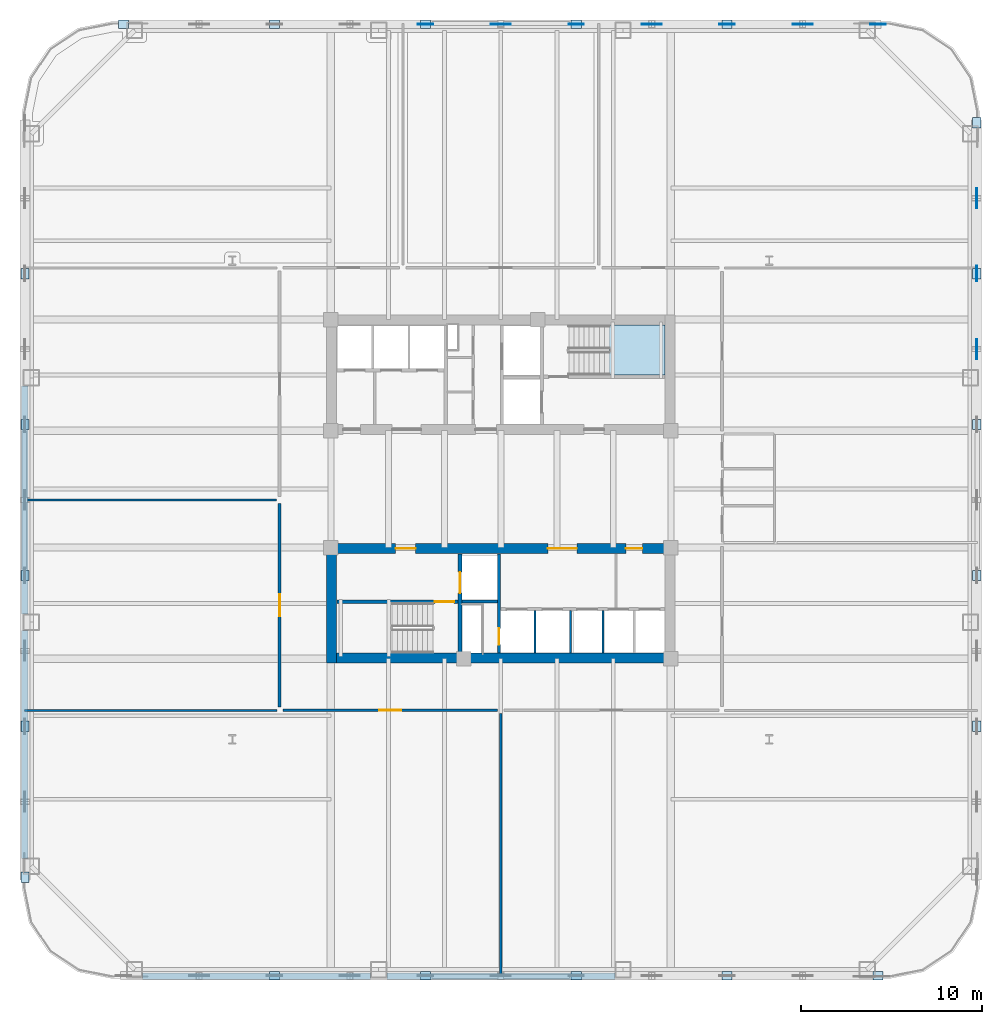
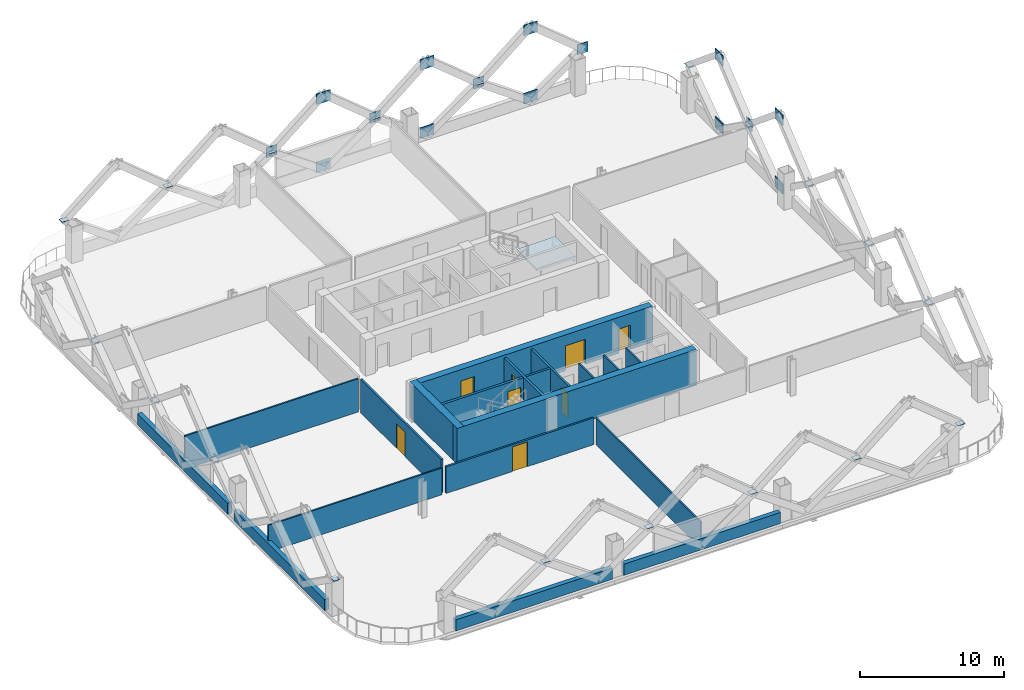
# One storey, part 4 of 12: 35 plates, 19 walls, 8 doors, 1 slab, 8 openings, 1 element without a shape of its own.
"""IFC4 building model written with IfcOpenShell, lengths in metres."""

import ifcopenshell
import ifcopenshell.guid

model = None  # the IFC model being written
_history = None  # IfcOwnerHistory: only IFC2X3 demands one
_inside = {}  # id of a spatial element -> (the spatial element, [elements in it])
_under = {}  # id of a project, library or spatial element -> (it, [spatial elements below it])
_declared = {}  # id of a project -> (the project, [libraries it declares])
_typed = {}  # id of a type object -> (the type object, [elements of that type])
_made_of = {}  # id of a material, layer set ... -> (it, [elements and type objects made of it])


def new_model(schema):
    """Start an empty IFC model of exactly this schema.

    Asked for "IFC4X3", IfcOpenShell would pick the latest addendum, in which some entities
    have other attributes; the version numbers below select the first issue.
    IFC2X3 requires an IfcOwnerHistory on every rooted entity: one is made here for all.
    """
    global model, _history
    if schema == "IFC4X3":
        model = ifcopenshell.file(schema_version=(4, 3, 0, 0))
    else:
        model = ifcopenshell.file(schema=schema)
    _inside.clear()
    _under.clear()
    _declared.clear()
    _typed.clear()
    _made_of.clear()
    _history = None
    if model.schema == "IFC2X3":
        org = make("IfcOrganization", Name="unknown")
        user = make(
            "IfcPersonAndOrganization",
            ThePerson=make("IfcPerson", FamilyName="unknown"),
            TheOrganization=org,
        )
        app = make(
            "IfcApplication",
            ApplicationDeveloper=org,
            Version="unknown",
            ApplicationFullName="unknown",
            ApplicationIdentifier="unknown",
        )
        _history = make(
            "IfcOwnerHistory",
            OwningUser=user,
            OwningApplication=app,
            ChangeAction="ADDED",
            CreationDate=0,
        )
    return model


def make(cls, **values):
    """One entity of the class cls with the attributes given. An attribute that is None is left unset."""
    return model.create_entity(
        cls, **{name: value for name, value in values.items() if value is not None}
    )


def rooted(cls, **values):
    """An entity with a GlobalId (a new one), such as an element, a storey or a relation."""
    return make(cls, GlobalId=ifcopenshell.guid.new(), OwnerHistory=_history, **values)


def si_unit(unit_type, name, prefix=None):
    """IfcSIUnit, for example si_unit("LENGTHUNIT", "METRE", prefix="MILLI")."""
    return make("IfcSIUnit", UnitType=unit_type, Prefix=prefix, Name=name)


def assignment(units):
    """IfcUnitAssignment: the units of a project."""
    return None if units is None else make("IfcUnitAssignment", Units=units)


def point(xyz):
    """IfcCartesianPoint."""
    return None if xyz is None else make("IfcCartesianPoint", Coordinates=xyz)


def direction(xyz):
    """IfcDirection."""
    return None if xyz is None else make("IfcDirection", DirectionRatios=xyz)


def frame(location, z_axis=None, x_axis=None):
    """IfcAxis2Placement3D, a coordinate frame: its origin and axes. An axis left out is left unset."""
    return make(
        "IfcAxis2Placement3D",
        Location=point(location),
        Axis=direction(z_axis),
        RefDirection=direction(x_axis),
    )


def frame_2d(location, x_axis=None):
    """IfcAxis2Placement2D, a coordinate frame in the plane: its origin and x axis."""
    return make(
        "IfcAxis2Placement2D", Location=point(location), RefDirection=direction(x_axis)
    )


def origin():
    """The frame at (0, 0, 0) with its axes left unset."""
    return frame((0.0, 0.0, 0.0))


def origin_2d():
    """The frame at (0, 0) in the plane with its x axis left unset."""
    return frame_2d((0.0, 0.0))


def place(relative_to, where):
    """IfcLocalPlacement: puts the frame where relative to a parent placement (None: the world)."""
    return make(
        "IfcLocalPlacement", PlacementRelTo=relative_to, RelativePlacement=where
    )


def context(
    kind, dimensions, precision=None, world=None, true_north=None, identifier=None
):
    """IfcGeometricRepresentationContext, for example the 3D "Model" context."""
    return make(
        "IfcGeometricRepresentationContext",
        ContextIdentifier=identifier,
        ContextType=kind,
        CoordinateSpaceDimension=dimensions,
        Precision=precision,
        WorldCoordinateSystem=world,
        TrueNorth=true_north,
    )


def subcontext(parent, identifier, kind, view, scale=None):
    """IfcGeometricRepresentationSubContext, for example "Body" below "Model"."""
    return make(
        "IfcGeometricRepresentationSubContext",
        ContextIdentifier=identifier,
        ContextType=kind,
        ParentContext=parent,
        TargetScale=scale,
        TargetView=view,
    )


def project(units=None, contexts=None):
    """IfcProject with its units and contexts."""
    return rooted(
        "IfcProject",
        Name="project",
        RepresentationContexts=contexts,
        UnitsInContext=assignment(units),
    )


def spatial(cls, under=None, at=None, **own):
    """A site, building, storey or space (cls), placed at a placement, below another one or the project."""
    s = rooted(cls, ObjectPlacement=at, **own)
    if under is not None:
        _under.setdefault(under.id(), (under, []))[1].append(s)
    return s


def polyline(points):
    """IfcPolyline through the points."""
    return make("IfcPolyline", Points=[point(p) for p in points])


def profile(cls, at=None, kind="AREA", **sizes):
    """A parametric profile (cls). Its sizes go by their IFC names, for example OverallWidth=200.0."""
    return make(cls, ProfileType=kind, Position=at, **sizes)


def rectangle(**sizes):
    """IfcRectangleProfileDef."""
    return profile("IfcRectangleProfileDef", **sizes)


def outline(outer, holes=None, kind="AREA"):
    """IfcArbitraryClosedProfileDef: a profile drawn as a closed curve; with holes, ...WithVoids."""
    if holes is None:
        return make("IfcArbitraryClosedProfileDef", ProfileType=kind, OuterCurve=outer)
    return make(
        "IfcArbitraryProfileDefWithVoids",
        ProfileType=kind,
        OuterCurve=outer,
        InnerCurves=holes,
    )


def extrude(swept, where, along, depth):
    """IfcExtrudedAreaSolid: the profile swept, set in the frame where, extruded along a direction by depth."""
    return make(
        "IfcExtrudedAreaSolid",
        SweptArea=swept,
        Position=where,
        ExtrudedDirection=direction(along),
        Depth=depth,
    )


def shape(context_of_items, identifier, shape_type, items):
    """IfcShapeRepresentation: the items that make up one representation, for example the "Body"."""
    return make(
        "IfcShapeRepresentation",
        ContextOfItems=context_of_items,
        RepresentationIdentifier=identifier,
        RepresentationType=shape_type,
        Items=items,
    )


def material(Name=None, Category=None):
    """IfcMaterial."""
    return make("IfcMaterial", Name=Name, Category=Category)


def layer(
    of_material, thickness, ventilated=None, Name=None, Category=None, Priority=None
):
    """IfcMaterialLayer: one layer of a wall or slab, of a material (None: an air gap)."""
    return make(
        "IfcMaterialLayer",
        Material=of_material,
        LayerThickness=thickness,
        IsVentilated=ventilated,
        Name=Name,
        Category=Category,
        Priority=Priority,
    )


def layer_set(layers, Name=None):
    """IfcMaterialLayerSet."""
    return make("IfcMaterialLayerSet", MaterialLayers=layers, LayerSetName=Name)


def made_of(thing, what):
    """Note that an element or type object is made of a material, layer set ...; save() writes the relation."""
    if what is not None:
        _made_of.setdefault(what.id(), (what, []))[1].append(thing)
    return thing


def type_object(cls, material=None, **own):
    """A type object (cls), such as IfcWallType, which elements share."""
    return made_of(rooted(cls, **own), material)


def element(
    cls,
    number,
    at=None,
    inside=None,
    cuts=None,
    type_object=None,
    material=None,
    context=None,
    identifier="Body",
    shape_type=None,
    held_by="IfcProductDefinitionShape",
    body=None,
    shapes=None,
    **own,
):
    """One element of the class cls, such as IfcWall. Its Tag is "e" and its number.

    at: its placement. inside: the storey or other place that contains it. cuts: it is an
    opening in that element (IfcRelVoidsElement). A single representation is given by context,
    identifier, shape_type and body (its items); several are given by shapes. held_by: the class
    of the entity that holds the representations. save() writes the other relations.
    """
    e = rooted(cls, Tag="e%d" % number, ObjectPlacement=at, **own)
    if body is not None:
        shapes = [shape(context, identifier, shape_type, body)]
    if shapes is not None:
        e.Representation = make(held_by, Representations=shapes)
    if inside is not None:
        _inside.setdefault(inside.id(), (inside, []))[1].append(e)
    if cuts is not None:
        rooted(
            "IfcRelVoidsElement", RelatingBuildingElement=cuts, RelatedOpeningElement=e
        )
    if type_object is not None:
        _typed.setdefault(type_object.id(), (type_object, []))[1].append(e)
    return made_of(e, material)


def fill(opening, filler):
    """IfcRelFillsElement: the door or window that sits in an opening."""
    return rooted(
        "IfcRelFillsElement",
        RelatingOpeningElement=opening,
        RelatedBuildingElement=filler,
    )


def aggregate(whole, parts):
    """IfcRelAggregates: a whole, such as a stair, and the parts it consists of."""
    return rooted("IfcRelAggregates", RelatingObject=whole, RelatedObjects=parts)


def save(model, path):
    """Write the relations noted so far, then the file.

    IfcRelAggregates (storeys below a building ...), IfcRelContainedInSpatialStructure (elements
    in a storey), IfcRelDefinesByType, IfcRelAssociatesMaterial and IfcRelDeclares: one each for
    every whole, place, type object, material and project.
    """
    for whole, parts in _under.values():
        aggregate(whole, parts)
    for where, things in _inside.values():
        rooted(
            "IfcRelContainedInSpatialStructure",
            RelatedElements=things,
            RelatingStructure=where,
        )
    for kind, things in _typed.values():
        rooted("IfcRelDefinesByType", RelatedObjects=things, RelatingType=kind)
    for what, things in _made_of.values():
        rooted("IfcRelAssociatesMaterial", RelatedObjects=things, RelatingMaterial=what)
    for by, libraries in _declared.values():
        rooted("IfcRelDeclares", RelatingContext=by, RelatedDefinitions=libraries)
    model.write(path)


model = new_model("IFC4")

# Units and contexts
model_context = context("Model", 3, precision=1e-05, world=origin(), true_north=direction((0.0, 1.0)))
body_context = subcontext(model_context, "Body", "Model", "MODEL_VIEW")
ifc_project = project(units=[si_unit("LENGTHUNIT", "METRE"), si_unit("AREAUNIT", "SQUARE_METRE"), si_unit("VOLUMEUNIT", "CUBIC_METRE"), si_unit("PLANEANGLEUNIT", "RADIAN"), si_unit("MASSUNIT", "GRAM", prefix="KILO")], contexts=[model_context])

# Site, building, storey
site_placement = place(None, origin())
site = spatial("IfcSite", under=ifc_project, at=site_placement, CompositionType="ELEMENT")
building_placement = place(site_placement, origin())
building = spatial("IfcBuilding", under=site, at=building_placement, Name="Qhalaya Broadcast Tower", CompositionType="ELEMENT")
storey_placement = place(building_placement, frame((0.0, 0.0, 50.5)))
storey = spatial("IfcBuildingStorey", under=building, at=storey_placement, Name="L14", CompositionType="ELEMENT", Elevation=50.5)

# Plates
ifc_material_1 = material(Name="Structural Steel ASTM A572 Grade 50", Category="steel")
ifc_layer_1 = layer(ifc_material_1, 0.054931640625, Name="Structural Steel ASTM A572 Grade 50")
ifc_layer_set_1 = layer_set([ifc_layer_1], Name="Structural Steel ASTM A572 Grade 50")
plate_type_1 = type_object("IfcPlateType", Name="Exoskeleton Diamond Node Gusset Plate NP-01", PredefinedType="USERDEFINED", material=ifc_layer_set_1)
for number, where, z_axis, x_axis, name in (
    (1, (26.239990234375, 8.320068359375, 0.2099609375), (0.0, 0.0, 1.0), (0.0, 1.0, 0.0), "Exoskeleton Diamond Node B1-E4-BOT"),
    (2, (26.239990234375, 8.320068359375, 5.989990234375), (0.0, 0.0, 1.0), (0.0, 1.0, 0.0), "Exoskeleton Diamond Node B1-E4-TOP"),
    (3, (26.239990234375, 16.639892578125, 0.2099609375), (0.0, 0.0, 1.0), (0.0, 1.0, 0.0), "Exoskeleton Diamond Node B1-E5-BOT"),
    (4, (26.239990234375, 16.639892578125, 5.989990234375), (0.0, 0.0, 1.0), (0.0, 1.0, 0.0), "Exoskeleton Diamond Node B1-E5-TOP"),
):
    element("IfcPlate", number, at=place(storey_placement, frame(where, z_axis=z_axis, x_axis=x_axis)), inside=storey, type_object=plate_type_1, Name=name, ObjectType="GUSSET_PLATE", PredefinedType="USERDEFINED", context=body_context, shape_type="SweptSolid", body=[
        extrude(rectangle(XDim=1.10009765625, YDim=0.054931640625, at=origin_2d()), origin(), (0.0, 0.0, 1.0), 0.89990234375),
    ])
plate_1_placement = place(storey_placement, frame((26.239990234375, 12.47998046875, 2.885009765625), z_axis=(0.0, 0.0, 1.0), x_axis=(0.0, 1.0, 0.0)))
element("IfcPlate", 5, at=plate_1_placement, inside=storey, type_object=plate_type_1, Name="Exoskeleton Diamond Node B1-E5-MDL", ObjectType="GUSSET_PLATE", PredefinedType="USERDEFINED", context=body_context, shape_type="SweptSolid", body=[
    extrude(rectangle(XDim=0.85009765625, YDim=0.054931640625, at=origin_2d()), origin(), (0.0, 0.0, 1.0), 0.85009765625),
])
for number, where, z_axis, x_axis, name in (
    (6, (16.639892578125, 26.239990234375, 0.2099609375), (0.0, 0.0, 1.0), (1.0, 0.0, 0.0), "Exoskeleton Diamond Node B1-N1-BOT"),
    (7, (16.639892578125, 26.239990234375, 5.989990234375), (0.0, 0.0, 1.0), (1.0, 0.0, 0.0), "Exoskeleton Diamond Node B1-N1-TOP"),
):
    element("IfcPlate", number, at=place(storey_placement, frame(where, z_axis=z_axis, x_axis=x_axis)), inside=storey, type_object=plate_type_1, Name=name, ObjectType="GUSSET_PLATE", PredefinedType="USERDEFINED", context=body_context, shape_type="SweptSolid", body=[
        extrude(rectangle(XDim=1.10009765625, YDim=0.054931640625, at=origin_2d()), origin(), (0.0, 0.0, 1.0), 0.89990234375),
    ])
plate_2_placement = place(storey_placement, frame((20.800048828125, 26.239990234375, 2.885009765625), z_axis=(0.0, 0.0, 1.0), x_axis=(1.0, 0.0, 0.0)))
element("IfcPlate", 8, at=plate_2_placement, inside=storey, type_object=plate_type_1, Name="Exoskeleton Diamond Node B1-N1-MDL", ObjectType="GUSSET_PLATE", PredefinedType="USERDEFINED", context=body_context, shape_type="SweptSolid", body=[
    extrude(rectangle(XDim=0.85009765625, YDim=0.054931640625, at=origin_2d()), origin(), (0.0, 0.0, 1.0), 0.85009765625),
])
for number, where, z_axis, x_axis, name in (
    (9, (8.320068359375, 26.239990234375, 0.2099609375), (0.0, 0.0, 1.0), (1.0, 0.0, 0.0), "Exoskeleton Diamond Node B1-N2-BOT"),
    (10, (8.320068359375, 26.239990234375, 5.989990234375), (0.0, 0.0, 1.0), (1.0, 0.0, 0.0), "Exoskeleton Diamond Node B1-N2-TOP"),
):
    element("IfcPlate", number, at=place(storey_placement, frame(where, z_axis=z_axis, x_axis=x_axis)), inside=storey, type_object=plate_type_1, Name=name, ObjectType="GUSSET_PLATE", PredefinedType="USERDEFINED", context=body_context, shape_type="SweptSolid", body=[
        extrude(rectangle(XDim=1.10009765625, YDim=0.054931640625, at=origin_2d()), origin(), (0.0, 0.0, 1.0), 0.89990234375),
    ])
plate_3_placement = place(storey_placement, frame((12.47998046875, 26.239990234375, 2.885009765625), z_axis=(0.0, 0.0, 1.0), x_axis=(1.0, 0.0, 0.0)))
element("IfcPlate", 11, at=plate_3_placement, inside=storey, type_object=plate_type_1, Name="Exoskeleton Diamond Node B1-N2-MDL", ObjectType="GUSSET_PLATE", PredefinedType="USERDEFINED", context=body_context, shape_type="SweptSolid", body=[
    extrude(rectangle(XDim=0.85009765625, YDim=0.054931640625, at=origin_2d()), origin(), (0.0, 0.0, 1.0), 0.85009765625),
])
for number, where, z_axis, x_axis, name in (
    (12, (0.0, 26.239990234375, 0.2099609375), (0.0, 0.0, 1.0), (1.0, 0.0, 0.0), "Exoskeleton Diamond Node B1-N3-BOT"),
    (13, (0.0, 26.239990234375, 5.989990234375), (0.0, 0.0, 1.0), (1.0, 0.0, 0.0), "Exoskeleton Diamond Node B1-N3-TOP"),
):
    element("IfcPlate", number, at=place(storey_placement, frame(where, z_axis=z_axis, x_axis=x_axis)), inside=storey, type_object=plate_type_1, Name=name, ObjectType="GUSSET_PLATE", PredefinedType="USERDEFINED", context=body_context, shape_type="SweptSolid", body=[
        extrude(rectangle(XDim=1.10009765625, YDim=0.054931640625, at=origin_2d()), origin(), (0.0, 0.0, 1.0), 0.89990234375),
    ])
for number, where, z_axis, x_axis, name in (
    (14, (4.159912109375, 26.239990234375, 2.885009765625), (0.0, 0.0, 1.0), (1.0, 0.0, 0.0), "Exoskeleton Diamond Node B1-N3-MDL"),
    (15, (-4.159912109375, 26.239990234375, 2.885009765625), (0.0, 0.0, 1.0), (1.0, 0.0, 0.0), "Exoskeleton Diamond Node B1-N4-MDL"),
):
    element("IfcPlate", number, at=place(storey_placement, frame(where, z_axis=z_axis, x_axis=x_axis)), inside=storey, type_object=plate_type_1, Name=name, ObjectType="GUSSET_PLATE", PredefinedType="USERDEFINED", context=body_context, shape_type="SweptSolid", body=[
        extrude(rectangle(XDim=0.85009765625, YDim=0.054931640625, at=origin_2d()), origin(), (0.0, 0.0, 1.0), 0.85009765625),
    ])
ifc_layer_2 = layer(ifc_material_1, 0.4599609375, Name="Structural Steel ASTM A572 Grade 50")
ifc_layer_set_2 = layer_set([ifc_layer_2], Name="Structural Steel ASTM A572 Grade 50")
plate_type_2 = type_object("IfcPlateType", Name="Hollow Box Member End Cap Plate CP-01", PredefinedType="USERDEFINED", material=ifc_layer_set_2)
for number, where, z_axis, x_axis, name in (
    (16, (-12.47998046875, -26.239990234375, 3.2939453125), (0.0, 0.0, 1.0), (1.0, 0.0, 0.0), "Exoskeleton Hollow End Cap B1-S1"),
    (17, (-4.159912109375, -26.239990234375, 3.2939453125), (0.0, 0.0, 1.0), (1.0, 0.0, 0.0), "Exoskeleton Hollow End Cap B1-S2"),
    (18, (4.159912109375, -26.239990234375, 3.2939453125), (0.0, 0.0, 1.0), (1.0, 0.0, 0.0), "Exoskeleton Hollow End Cap B1-S3"),
    (19, (12.47998046875, -26.239990234375, 3.2939453125), (0.0, 0.0, 1.0), (1.0, 0.0, 0.0), "Exoskeleton Hollow End Cap B1-S4"),
    (20, (20.800048828125, -26.239990234375, 3.2939453125), (0.0, 0.0, 1.0), (1.0, 0.0, 0.0), "Exoskeleton Hollow End Cap B1-S5"),
    (21, (26.239990234375, -12.47998046875, 3.2939453125), (0.0, 0.0, 1.0), (0.0, 1.0, 0.0), "Exoskeleton Hollow End Cap B1-E1"),
    (22, (26.239990234375, -4.159912109375, 3.2939453125), (0.0, 0.0, 1.0), (0.0, 1.0, 0.0), "Exoskeleton Hollow End Cap B1-E2"),
    (23, (26.239990234375, 4.159912109375, 3.2939453125), (0.0, 0.0, 1.0), (0.0, 1.0, 0.0), "Exoskeleton Hollow End Cap B1-E3"),
    (24, (26.239990234375, 12.47998046875, 3.2939453125), (0.0, 0.0, 1.0), (0.0, 1.0, 0.0), "Exoskeleton Hollow End Cap B1-E4"),
    (25, (26.239990234375, 20.800048828125, 3.2939453125), (0.0, 0.0, 1.0), (0.0, 1.0, 0.0), "Exoskeleton Hollow End Cap B1-E5"),
    (26, (12.47998046875, 26.239990234375, 3.2939453125), (0.0, 0.0, 1.0), (1.0, 0.0, 0.0), "Exoskeleton Hollow End Cap B1-N1"),
    (27, (4.159912109375, 26.239990234375, 3.2939453125), (0.0, 0.0, 1.0), (1.0, 0.0, 0.0), "Exoskeleton Hollow End Cap B1-N2"),
    (28, (-4.159912109375, 26.239990234375, 3.2939453125), (0.0, 0.0, 1.0), (1.0, 0.0, 0.0), "Exoskeleton Hollow End Cap B1-N3"),
    (29, (-12.47998046875, 26.239990234375, 3.2939453125), (0.0, 0.0, 1.0), (1.0, 0.0, 0.0), "Exoskeleton Hollow End Cap B1-N4"),
    (30, (-20.800048828125, 26.239990234375, 3.2939453125), (0.0, 0.0, 1.0), (1.0, 0.0, 0.0), "Exoskeleton Hollow End Cap B1-N5"),
    (31, (-26.239990234375, 12.47998046875, 3.2939453125), (0.0, 0.0, 1.0), (0.0, 1.0, 0.0), "Exoskeleton Hollow End Cap B1-W1"),
    (32, (-26.239990234375, 4.159912109375, 3.2939453125), (0.0, 0.0, 1.0), (0.0, 1.0, 0.0), "Exoskeleton Hollow End Cap B1-W2"),
    (33, (-26.239990234375, -4.159912109375, 3.2939453125), (0.0, 0.0, 1.0), (0.0, 1.0, 0.0), "Exoskeleton Hollow End Cap B1-W3"),
    (34, (-26.239990234375, -12.47998046875, 3.2939453125), (0.0, 0.0, 1.0), (0.0, 1.0, 0.0), "Exoskeleton Hollow End Cap B1-W4"),
    (35, (-26.239990234375, -20.800048828125, 3.2939453125), (0.0, 0.0, 1.0), (0.0, 1.0, 0.0), "Exoskeleton Hollow End Cap B1-W5"),
):
    element("IfcPlate", number, at=place(storey_placement, frame(where, z_axis=z_axis, x_axis=x_axis)), inside=storey, type_object=plate_type_2, Name=name, ObjectType="COVER_PLATE", PredefinedType="USERDEFINED", context=body_context, shape_type="SweptSolid", body=[
        extrude(rectangle(XDim=0.56005859375, YDim=0.4599609375, at=origin_2d()), origin(), (0.0, 0.0, 1.0), 0.031982421875),
    ])

# Stair, slab
ifc_material_2 = material(Name="Concrete C40/50", Category="concrete")
stair_type = type_object("IfcStairType", Name="Protected Dogleg Core Stair 3150", PredefinedType="TWO_STRAIGHT_RUN_STAIR", material=ifc_material_2)
stair_placement = place(storey_placement, origin())
stair = element("IfcStair", 36, at=stair_placement, inside=storey, type_object=stair_type, Name="L14 North Core Exit Stair ST-1", PredefinedType="TWO_STRAIGHT_RUN_STAIR")
ifc_layer_3 = layer(ifc_material_2, 0.199951171875, Name="Concrete C40/50")
ifc_layer_set_3 = layer_set([ifc_layer_3], Name="Concrete C40/50")
slab_type = type_object("IfcSlabType", Name="Stair & Ramp Half-Landing Slab 200", PredefinedType="LANDING", material=ifc_layer_set_3)
slab_placement = place(storey_placement, frame((0.0, 0.0, 1.324951171875)))
slab = element("IfcSlab", 37, at=slab_placement, type_object=slab_type, Name="ST-1 landing 1", PredefinedType="LANDING", context=body_context, shape_type="SweptSolid", body=[
    extrude(outline(polyline([(5.955078125, 6.8798828125), (9.050048828125, 6.8798828125), (9.050048828125, 9.639892578125), (5.955078125, 9.639892578125), (5.955078125, 6.8798828125)])), origin(), (0.0, 0.0, 1.0), 0.199951171875),
])
aggregate(stair, [slab])

# Wall, opening, door
ifc_material_3 = material(Name="Gypsum Acoustic Partition")
ifc_layer_4 = layer(ifc_material_3, 0.14990234375, Name="Gypsum Acoustic Partition")
ifc_layer_set_4 = layer_set([ifc_layer_4], Name="Gypsum Acoustic Partition")
wall_type_1 = type_object("IfcWallType", Name="Corridor & Tenancy Acoustic Partition 150", PredefinedType="PARTITIONING", material=ifc_layer_set_4)
wall_1_placement = place(storey_placement, frame((-12.02001953125, -11.60009765625, 0.0), z_axis=(0.0, 0.0, 1.0), x_axis=(1.0, 0.0, 0.0)))
wall_1 = element("IfcWall", 38, at=wall_1_placement, inside=storey, type_object=wall_type_1, Name="L14 Partition Wall W-COR-04", PredefinedType="PARTITIONING", context=body_context, shape_type="SweptSolid", body=[
    extrude(rectangle(XDim=11.840087890625, YDim=0.14990234375, at=frame_2d((5.919921875, 0.0))), origin(), (0.0, 0.0, 1.0), 2.27392578125),
])
opening_1_placement = place(wall_1_placement, frame((5.320068359375, 0.0, 0.0)))
opening_1 = element("IfcOpeningElement", 39, at=opening_1_placement, cuts=wall_1, Name="Opening D11", PredefinedType="OPENING", context=body_context, shape_type="SweptSolid", body=[
    extrude(rectangle(XDim=1.199951171875, YDim=2.10009765625, at=frame_2d((0.60009765625, 1.050048828125))), frame((0.0, 0.0869140625, 0.0), z_axis=(0.0, -1.0, 0.0), x_axis=(1.0, 0.0, 0.0)), (0.0, 0.0, 1.0), 0.173828125),
])
ifc_material_4 = material(Name="Anodised Aluminium Glazed Door", Category="aluminium")
door_type_1 = type_object("IfcDoorType", Name="Conference, Boardroom & Studio Control Door D11", OperationType="NOTDEFINED", PredefinedType="DOOR", material=ifc_material_4)
door_1_placement = place(opening_1_placement, origin())
door_1 = element("IfcDoor", 40, at=door_1_placement, inside=storey, type_object=door_type_1, Name="L14 Door D-RM04", OperationType="SINGLE_SWING_LEFT", OverallHeight=2.10009765625, OverallWidth=1.199951171875, PredefinedType="DOOR", context=body_context, shape_type="SweptSolid", body=[
    extrude(rectangle(XDim=1.199951171875, YDim=2.10009765625, at=frame_2d((0.60009765625, 1.050048828125))), frame((0.0, 0.02490234375, 0.0), z_axis=(0.0, -1.0, 0.0), x_axis=(1.0, 0.0, 0.0)), (0.0, 0.0, 1.0), 0.050048828125),
])
fill(opening_1, door_1)

wall_2_placement = place(storey_placement, frame((-12.199951171875, -11.419921875, 0.0), z_axis=(0.0, 0.0, 1.0), x_axis=(0.0, 1.0, 0.0)))
wall_2 = element("IfcWall", 41, at=wall_2_placement, inside=storey, type_object=wall_type_1, Name="L14 Partition Wall W-COR-06", PredefinedType="PARTITIONING", context=body_context, shape_type="SweptSolid", body=[
    extrude(rectangle(XDim=11.239990234375, YDim=0.14990234375, at=frame_2d((5.6201171875, 0.0))), origin(), (0.0, 0.0, 1.0), 2.830078125),
])
opening_2_placement = place(wall_2_placement, frame((5.02001953125, 0.0, 0.0)))
opening_2 = element("IfcOpeningElement", 42, at=opening_2_placement, cuts=wall_2, Name="Opening D11", PredefinedType="OPENING", context=body_context, shape_type="SweptSolid", body=[
    extrude(rectangle(XDim=1.199951171875, YDim=2.10009765625, at=frame_2d((0.60009765625, 1.050048828125))), frame((0.0, 0.0869140625, 0.0), z_axis=(0.0, -1.0, 0.0), x_axis=(1.0, 0.0, 0.0)), (0.0, 0.0, 1.0), 0.173828125),
])
door_2_placement = place(opening_2_placement, origin())
door_2 = element("IfcDoor", 43, at=door_2_placement, inside=storey, type_object=door_type_1, Name="L14 Door D-RM06", OperationType="SINGLE_SWING_LEFT", OverallHeight=2.10009765625, OverallWidth=1.199951171875, PredefinedType="DOOR", context=body_context, shape_type="SweptSolid", body=[
    extrude(rectangle(XDim=1.199951171875, YDim=2.10009765625, at=frame_2d((0.60009765625, 1.050048828125))), frame((0.0, 0.02490234375, 0.0), z_axis=(0.0, -1.0, 0.0), x_axis=(1.0, 0.0, 0.0)), (0.0, 0.0, 1.0), 0.050048828125),
])
fill(opening_2, door_2)

# Walls
ifc_material_5 = material(Name="Precast Concrete C40/50", Category="concrete")
ifc_layer_5 = layer(ifc_material_5, 0.360107421875, Name="Precast Concrete C40/50")
ifc_layer_set_5 = layer_set([ifc_layer_5], Name="Precast Concrete C40/50")
wall_type_2 = type_object("IfcWallType", Name="Insulated Precast Terracotta Exterior Wall 360", PredefinedType="SOLIDWALL", material=ifc_layer_set_5)
wall_3_placement = place(storey_placement, frame((6.283203125, -26.260009765625, 0.0), z_axis=(0.0, 0.0, 1.0), x_axis=(-1.0, 0.0, 0.0)))
element("IfcWall", 44, at=wall_3_placement, inside=storey, type_object=wall_type_2, Name="L14 Exoskeleton Diagrid Infill Wall S2", PredefinedType="SOLIDWALL", context=body_context, shape_type="SweptSolid", body=[
    extrude(rectangle(XDim=12.56640625, YDim=0.360107421875, at=frame_2d((6.283203125, 0.0))), origin(), (0.0, 0.0, 1.0), 0.949951171875),
])
for number, where, z_axis, x_axis, name in (
    (45, (-7.183349609375, -26.260009765625, 0.0), (0.0, 0.0, 1.0), (-1.0, 0.0, 0.0), "L14 Exoskeleton Diagrid Infill Wall S3"),
    (46, (-26.260009765625, -19.761962890625, 0.0), (0.0, 0.0, 1.0), (0.0, 1.0, 0.0), "L14 Exoskeleton Diagrid Infill Wall W1"),
):
    element("IfcWall", number, at=place(storey_placement, frame(where, z_axis=z_axis, x_axis=x_axis)), inside=storey, type_object=wall_type_2, Name=name, PredefinedType="SOLIDWALL", context=body_context, shape_type="SweptSolid", body=[
        extrude(rectangle(XDim=12.57861328125, YDim=0.360107421875, at=frame_2d((6.289306640625, 0.0))), origin(), (0.0, 0.0, 1.0), 0.949951171875),
    ])
wall_4_placement = place(storey_placement, frame((-26.260009765625, -6.283203125, 0.0), z_axis=(0.0, 0.0, 1.0), x_axis=(0.0, 1.0, 0.0)))
element("IfcWall", 47, at=wall_4_placement, inside=storey, type_object=wall_type_2, Name="L14 Exoskeleton Diagrid Infill Wall W2", PredefinedType="SOLIDWALL", context=body_context, shape_type="SweptSolid", body=[
    extrude(rectangle(XDim=12.56640625, YDim=0.360107421875, at=frame_2d((6.283203125, 0.0))), origin(), (0.0, 0.0, 1.0), 0.949951171875),
])

# Wall, opening, door
ifc_material_6 = material(Name="Concrete C50/60", Category="concrete")
ifc_layer_6 = layer(ifc_material_6, 0.199951171875, Name="Concrete C50/60")
ifc_layer_set_6 = layer_set([ifc_layer_6], Name="Concrete C50/60")
wall_type_3 = type_object("IfcWallType", Name="Load-Bearing Stair Shaft Wall 200", PredefinedType="SHEAR", material=ifc_layer_set_6)
wall_5_placement = place(storey_placement, frame((-9.030029296875, -5.60498046875, 0.0), z_axis=(0.0, 0.0, 1.0), x_axis=(1.0, 0.0, 0.0)))
wall_5 = element("IfcWall", 48, at=wall_5_placement, inside=storey, type_object=wall_type_3, Name="L14 Stair Core Shear Wall SCW-ST2", PredefinedType="SHEAR", context=body_context, shape_type="SweptSolid", body=[
    extrude(rectangle(XDim=6.669921875, YDim=0.199951171875, at=frame_2d((3.3349609375, 0.0))), origin(), (0.0, 0.0, 1.0), 2.830078125),
])
opening_3_placement = place(wall_5_placement, frame((5.39990234375, 0.0, 0.0)))
opening_3 = element("IfcOpeningElement", 49, at=opening_3_placement, cuts=wall_5, Name="Opening D03", PredefinedType="OPENING", context=body_context, shape_type="SweptSolid", body=[
    extrude(rectangle(XDim=1.050048828125, YDim=2.080078125, at=frame_2d((0.52490234375, 1.0400390625))), frame((0.0, 0.112060546875, 0.0), z_axis=(0.0, -1.0, 0.0), x_axis=(1.0, 0.0, 0.0)), (0.0, 0.0, 1.0), 0.223876953125),
])
ifc_material_7 = material(Name="Fire-Rated Steel Door", Category="steel")
door_type_2 = type_object("IfcDoorType", Name="Core Stair Protected Fire Door D03", OperationType="NOTDEFINED", PredefinedType="DOOR", material=ifc_material_7)
door_3_placement = place(opening_3_placement, origin())
door_3 = element("IfcDoor", 50, at=door_3_placement, inside=storey, type_object=door_type_2, Name="L14 Door D-SST2", OperationType="SINGLE_SWING_RIGHT", OverallHeight=2.080078125, OverallWidth=1.050048828125, PredefinedType="DOOR", context=body_context, shape_type="SweptSolid", body=[
    extrude(rectangle(XDim=1.050048828125, YDim=2.080078125, at=frame_2d((0.52490234375, 1.0400390625))), frame((0.0, 0.02490234375, 0.0), z_axis=(0.0, -1.0, 0.0), x_axis=(1.0, 0.0, 0.0)), (0.0, 0.0, 1.0), 0.050048828125),
])
fill(opening_3, door_3)

wall_6_placement = place(storey_placement, frame((-2.25, -8.429931640625, 0.0), z_axis=(0.0, 0.0, 1.0), x_axis=(0.0, 1.0, 0.0)))
wall_6 = element("IfcWall", 51, at=wall_6_placement, inside=storey, type_object=wall_type_3, Name="L14 Stair Core Shear Wall SCW-FF", PredefinedType="SHEAR", context=body_context, shape_type="SweptSolid", body=[
    extrude(rectangle(XDim=5.4599609375, YDim=0.199951171875, at=frame_2d((2.72998046875, 0.0))), origin(), (0.0, 0.0, 1.0), 2.830078125),
])
opening_4_placement = place(wall_6_placement, frame((3.300048828125, 0.0, 0.0)))
opening_4 = element("IfcOpeningElement", 52, at=opening_4_placement, cuts=wall_6, Name="Opening LD2", PredefinedType="OPENING", context=body_context, shape_type="SweptSolid", body=[
    extrude(rectangle(XDim=1.14990234375, YDim=2.080078125, at=frame_2d((0.574951171875, 1.0400390625))), frame((0.0, 0.112060546875, 0.0), z_axis=(0.0, -1.0, 0.0), x_axis=(1.0, 0.0, 0.0)), (0.0, 0.0, 1.0), 0.223876953125),
])
ifc_material_8 = material(Name="Brushed Stainless Steel Lift Door", Category="steel")
door_type_3 = type_object("IfcDoorType", Name="Firefighting Lift Sliding Landing Door LD2", OperationType="DOUBLE_DOOR_SLIDING", PredefinedType="DOOR", material=ifc_material_8)
door_4_placement = place(opening_4_placement, origin())
door_4 = element("IfcDoor", 53, at=door_4_placement, inside=storey, type_object=door_type_3, Name="L14 Door LD-FF2", OperationType="DOUBLE_DOOR_SLIDING", OverallHeight=2.080078125, OverallWidth=1.14990234375, PredefinedType="DOOR", context=body_context, shape_type="SweptSolid", body=[
    extrude(rectangle(XDim=1.14990234375, YDim=2.080078125, at=frame_2d((0.574951171875, 1.0400390625))), frame((0.0, 0.02490234375, 0.0), z_axis=(0.0, -1.0, 0.0), x_axis=(1.0, 0.0, 0.0)), (0.0, 0.0, 1.0), 0.050048828125),
])
fill(opening_4, door_4)

# Wall
ifc_material_9 = material(Name="Concrete C60/75", Category="concrete")
ifc_layer_7 = layer(ifc_material_9, 0.550048828125, Name="Concrete C60/75")
ifc_layer_set_7 = layer_set([ifc_layer_7], Name="Concrete C60/75")
wall_type_4 = type_object("IfcWallType", Name="Lower Split-Core Shear Wall 550", PredefinedType="SHEAR", material=ifc_layer_set_7)
wall_7_placement = place(storey_placement, frame((-9.60009765625, -8.72509765625, 0.0), z_axis=(0.0, 0.0, 1.0), x_axis=(1.0, 0.0, 0.0)))
element("IfcWall", 54, at=wall_7_placement, inside=storey, type_object=wall_type_4, Name="L14 Split-Core Shear Wall CW-SS", PredefinedType="SHEAR", context=body_context, shape_type="SweptSolid", body=[
    extrude(rectangle(XDim=19.2001953125, YDim=0.550048828125, at=frame_2d((9.60009765625, 0.0))), origin(), (0.0, 0.0, 1.0), 3.050048828125),
])

# Wall, openings, doors
wall_8_placement = place(storey_placement, frame((-9.60009765625, -2.675048828125, 0.0), z_axis=(0.0, 0.0, 1.0), x_axis=(1.0, 0.0, 0.0)))
wall_8 = element("IfcWall", 55, at=wall_8_placement, inside=storey, type_object=wall_type_4, Name="L14 Split-Core Shear Wall CW-SN", PredefinedType="SHEAR", context=body_context, shape_type="SweptSolid", body=[
    extrude(rectangle(XDim=19.2001953125, YDim=0.550048828125, at=frame_2d((9.60009765625, 0.0))), origin(), (0.0, 0.0, 1.0), 3.050048828125),
])
opening_5_placement = place(wall_8_placement, frame((3.800048828125, 0.0, 0.0)))
opening_5 = element("IfcOpeningElement", 56, at=opening_5_placement, cuts=wall_8, Name="Opening D04", PredefinedType="OPENING", context=body_context, shape_type="SweptSolid", body=[
    extrude(rectangle(XDim=1.10009765625, YDim=2.080078125, at=frame_2d((0.550048828125, 1.0400390625))), frame((0.0, 0.287109375, 0.0), z_axis=(0.0, -1.0, 0.0), x_axis=(1.0, 0.0, 0.0)), (0.0, 0.0, 1.0), 0.573974609375),
])
opening_6_placement = place(wall_8_placement, frame((12.199951171875, 0.0, 0.0)))
opening_6 = element("IfcOpeningElement", 57, at=opening_6_placement, cuts=wall_8, Name="Opening D07", PredefinedType="OPENING", context=body_context, shape_type="SweptSolid", body=[
    extrude(rectangle(XDim=1.60009765625, YDim=2.1201171875, at=frame_2d((0.800048828125, 1.06005859375))), frame((0.0, 0.287109375, 0.0), z_axis=(0.0, -1.0, 0.0), x_axis=(1.0, 0.0, 0.0)), (0.0, 0.0, 1.0), 0.573974609375),
])
opening_7_placement = place(wall_8_placement, frame((16.5, 0.0, 0.0)))
opening_7 = element("IfcOpeningElement", 58, at=opening_7_placement, cuts=wall_8, Name="Opening D06", PredefinedType="OPENING", context=body_context, shape_type="SweptSolid", body=[
    extrude(rectangle(XDim=0.89990234375, YDim=2.050048828125, at=frame_2d((0.449951171875, 1.02490234375))), frame((0.0, 0.287109375, 0.0), z_axis=(0.0, -1.0, 0.0), x_axis=(1.0, 0.0, 0.0)), (0.0, 0.0, 1.0), 0.573974609375),
])
door_type_4 = type_object("IfcDoorType", Name="Firefighting Lobby Rated Door D04", OperationType="NOTDEFINED", PredefinedType="DOOR", material=ifc_material_7)
door_5_placement = place(opening_5_placement, origin())
door_5 = element("IfcDoor", 59, at=door_5_placement, inside=storey, type_object=door_type_4, Name="L14 Door D-SFF", OperationType="SINGLE_SWING_LEFT", OverallHeight=2.080078125, OverallWidth=1.10009765625, PredefinedType="DOOR", context=body_context, shape_type="SweptSolid", body=[
    extrude(rectangle(XDim=1.10009765625, YDim=2.080078125, at=frame_2d((0.550048828125, 1.0400390625))), frame((0.0, 0.02490234375, 0.0), z_axis=(0.0, -1.0, 0.0), x_axis=(1.0, 0.0, 0.0)), (0.0, 0.0, 1.0), 0.050048828125),
])
fill(opening_5, door_5)
door_type_5 = type_object("IfcDoorType", Name="Passenger Lift Lobby Double Glazed Door D07", OperationType="DOUBLE_DOOR_SINGLE_SWING", PredefinedType="DOOR", material=ifc_material_4)
door_6_placement = place(opening_6_placement, origin())
door_6 = element("IfcDoor", 60, at=door_6_placement, inside=storey, type_object=door_type_5, Name="L14 Door D-SPLL", OperationType="DOUBLE_DOOR_SINGLE_SWING", OverallHeight=2.1201171875, OverallWidth=1.60009765625, PredefinedType="DOOR", context=body_context, shape_type="SweptSolid", body=[
    extrude(rectangle(XDim=1.60009765625, YDim=2.1201171875, at=frame_2d((0.800048828125, 1.06005859375))), frame((0.0, 0.02490234375, 0.0), z_axis=(0.0, -1.0, 0.0), x_axis=(1.0, 0.0, 0.0)), (0.0, 0.0, 1.0), 0.050048828125),
])
fill(opening_6, door_6)
door_type_6 = type_object("IfcDoorType", Name="Riser & Electrical Shaft Access Door D06", OperationType="NOTDEFINED", PredefinedType="DOOR", material=ifc_material_7)
door_7_placement = place(opening_7_placement, origin())
door_7 = element("IfcDoor", 61, at=door_7_placement, inside=storey, type_object=door_type_6, Name="L14 Door D-SSCST", OperationType="SINGLE_SWING_LEFT", OverallHeight=2.050048828125, OverallWidth=0.89990234375, PredefinedType="DOOR", context=body_context, shape_type="SweptSolid", body=[
    extrude(rectangle(XDim=0.89990234375, YDim=2.050048828125, at=frame_2d((0.449951171875, 1.02490234375))), frame((0.0, 0.02490234375, 0.0), z_axis=(0.0, -1.0, 0.0), x_axis=(1.0, 0.0, 0.0)), (0.0, 0.0, 1.0), 0.050048828125),
])
fill(opening_7, door_7)

# Walls
wall_9_placement = place(storey_placement, frame((-9.324951171875, -9.0, 0.0), z_axis=(0.0, 0.0, 1.0), x_axis=(0.0, 1.0, 0.0)))
element("IfcWall", 62, at=wall_9_placement, inside=storey, type_object=wall_type_4, Name="L14 Split-Core Shear Wall CW-SW", PredefinedType="SHEAR", context=body_context, shape_type="SweptSolid", body=[
    extrude(rectangle(XDim=6.60009765625, YDim=0.550048828125, at=frame_2d((3.300048828125, 0.0))), origin(), (0.0, 0.0, 1.0), 3.050048828125),
])
ifc_layer_8 = layer(ifc_material_3, 0.1201171875, Name="Gypsum Acoustic Partition")
ifc_layer_set_8 = layer_set([ifc_layer_8], Name="Gypsum Acoustic Partition")
wall_type_5 = type_object("IfcWallType", Name="Office, Booth & Sanitary Partition 120", PredefinedType="PARTITIONING", material=ifc_layer_set_8)
for number, where, z_axis, x_axis, name in (
    (63, (1.8798828125, -8.429931640625, 0.0), (0.0, 0.0, 1.0), (0.0, 1.0, 0.0), "L14 Partition Wall SCW-MD4"),
    (64, (3.85009765625, -8.429931640625, 0.0), (0.0, 0.0, 1.0), (0.0, 1.0, 0.0), "L14 Partition Wall SCW-MD5"),
    (65, (5.639892578125, -8.429931640625, 0.0), (0.0, 0.0, 1.0), (0.0, 1.0, 0.0), "L14 Partition Wall SCW-HD6"),
):
    element("IfcWall", number, at=place(storey_placement, frame(where, z_axis=z_axis, x_axis=x_axis)), inside=storey, type_object=wall_type_5, Name=name, PredefinedType="PARTITIONING", context=body_context, shape_type="SweptSolid", body=[
        extrude(rectangle(XDim=2.329833984375, YDim=0.1201171875, at=frame_2d((1.1650390625, 0.0))), origin(), (0.0, 0.0, 1.0), 2.830078125),
    ])
wall_10_placement = place(storey_placement, frame((-26.280029296875, -11.60009765625, 0.0), z_axis=(0.0, 0.0, 1.0), x_axis=(1.0, 0.0, 0.0)))
element("IfcWall", 66, at=wall_10_placement, inside=storey, type_object=wall_type_5, Name="L14 Partition Wall W-BNDW2", PredefinedType="PARTITIONING", context=body_context, shape_type="SweptSolid", body=[
    extrude(rectangle(XDim=13.93994140625, YDim=0.1201171875, at=frame_2d((6.969970703125, 0.0))), origin(), (0.0, 0.0, 1.0), 2.27392578125),
])
wall_11_placement = place(storey_placement, frame((0.0, -26.280029296875, 0.0), z_axis=(0.0, 0.0, 1.0), x_axis=(0.0, 1.0, 0.0)))
element("IfcWall", 67, at=wall_11_placement, inside=storey, type_object=wall_type_5, Name="L14 Partition Wall W-DIVS1", PredefinedType="PARTITIONING", context=body_context, shape_type="SweptSolid", body=[
    extrude(rectangle(XDim=14.52001953125, YDim=0.1201171875, at=frame_2d((7.260009765625, 0.0))), origin(), (0.0, 0.0, 1.0), 2.27392578125),
])
wall_12_placement = place(storey_placement, frame((-26.280029296875, 0.0, 0.0), z_axis=(0.0, 0.0, 1.0), x_axis=(1.0, 0.0, 0.0)))
element("IfcWall", 68, at=wall_12_placement, inside=storey, type_object=wall_type_5, Name="L14 Partition Wall W-DIVW1", PredefinedType="PARTITIONING", context=body_context, shape_type="SweptSolid", body=[
    extrude(rectangle(XDim=13.919921875, YDim=0.1201171875, at=frame_2d((6.9599609375, 0.0))), origin(), (0.0, 0.0, 1.0), 2.830078125),
])

# Wall, opening, door
ifc_layer_9 = layer(ifc_material_3, 0.175048828125, Name="Gypsum Acoustic Partition")
ifc_layer_set_9 = layer_set([ifc_layer_9], Name="Gypsum Acoustic Partition")
wall_type_6 = type_object("IfcWallType", Name="Shaft & Riser Fire Partition 175", PredefinedType="PARTITIONING", material=ifc_layer_set_9)
wall_13_placement = place(storey_placement, frame((-0.10009765625, -8.429931640625, 0.0), z_axis=(0.0, 0.0, 1.0), x_axis=(0.0, 1.0, 0.0)))
wall_13 = element("IfcWall", 69, at=wall_13_placement, inside=storey, type_object=wall_type_6, Name="L14 Partition Wall SCW-FFE", PredefinedType="PARTITIONING", context=body_context, shape_type="SweptSolid", body=[
    extrude(rectangle(XDim=5.4599609375, YDim=0.175048828125, at=frame_2d((2.72998046875, 0.0))), origin(), (0.0, 0.0, 1.0), 2.830078125),
])
opening_8_placement = place(wall_13_placement, frame((0.449951171875, 0.0, 0.0)))
opening_8 = element("IfcOpeningElement", 70, at=opening_8_placement, cuts=wall_13, Name="Opening D06", PredefinedType="OPENING", context=body_context, shape_type="SweptSolid", body=[
    extrude(rectangle(XDim=0.89990234375, YDim=2.050048828125, at=frame_2d((0.449951171875, 1.02490234375))), frame((0.0, 0.099609375, 0.0), z_axis=(0.0, -1.0, 0.0), x_axis=(1.0, 0.0, 0.0)), (0.0, 0.0, 1.0), 0.198974609375),
])
door_8_placement = place(opening_8_placement, origin())
door_8 = element("IfcDoor", 71, at=door_8_placement, inside=storey, type_object=door_type_6, Name="L14 Riser Shaft Access Door D-SRSR", OperationType="SINGLE_SWING_LEFT", OverallHeight=2.050048828125, OverallWidth=0.89990234375, PredefinedType="DOOR", context=body_context, shape_type="SweptSolid", body=[
    extrude(rectangle(XDim=0.89990234375, YDim=2.050048828125, at=frame_2d((0.449951171875, 1.02490234375))), frame((0.0, 0.02490234375, 0.0), z_axis=(0.0, -1.0, 0.0), x_axis=(1.0, 0.0, 0.0)), (0.0, 0.0, 1.0), 0.050048828125),
])
fill(opening_8, door_8)

# Wall
wall_14_placement = place(storey_placement, frame((-2.14990234375, -5.60009765625, 0.0), z_axis=(0.0, 0.0, 1.0), x_axis=(1.0, 0.0, 0.0)))
element("IfcWall", 72, at=wall_14_placement, inside=storey, type_object=wall_type_6, Name="L14 Partition Wall SCW-FFM", PredefinedType="PARTITIONING", context=body_context, shape_type="SweptSolid", body=[
    extrude(rectangle(XDim=1.969970703125, YDim=0.175048828125, at=frame_2d((0.98486328125, 0.0))), origin(), (0.0, 0.0, 1.0), 2.830078125),
])

save(model, "model.ifc")
